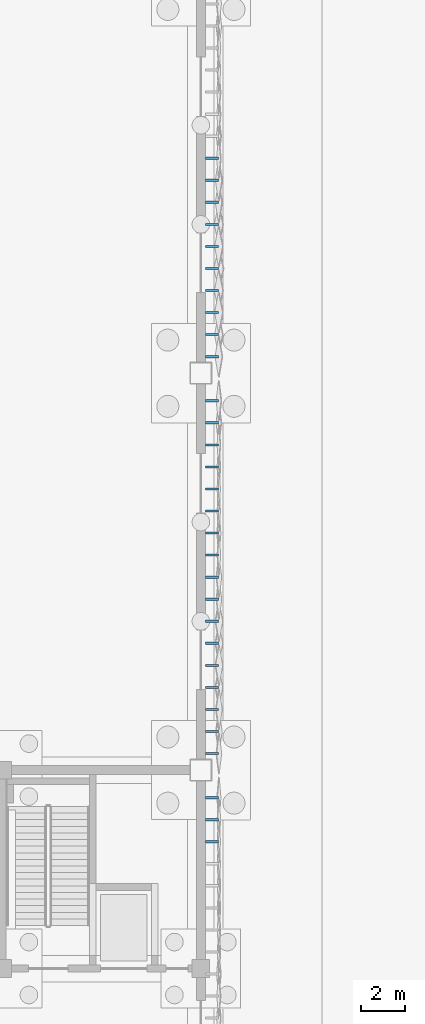
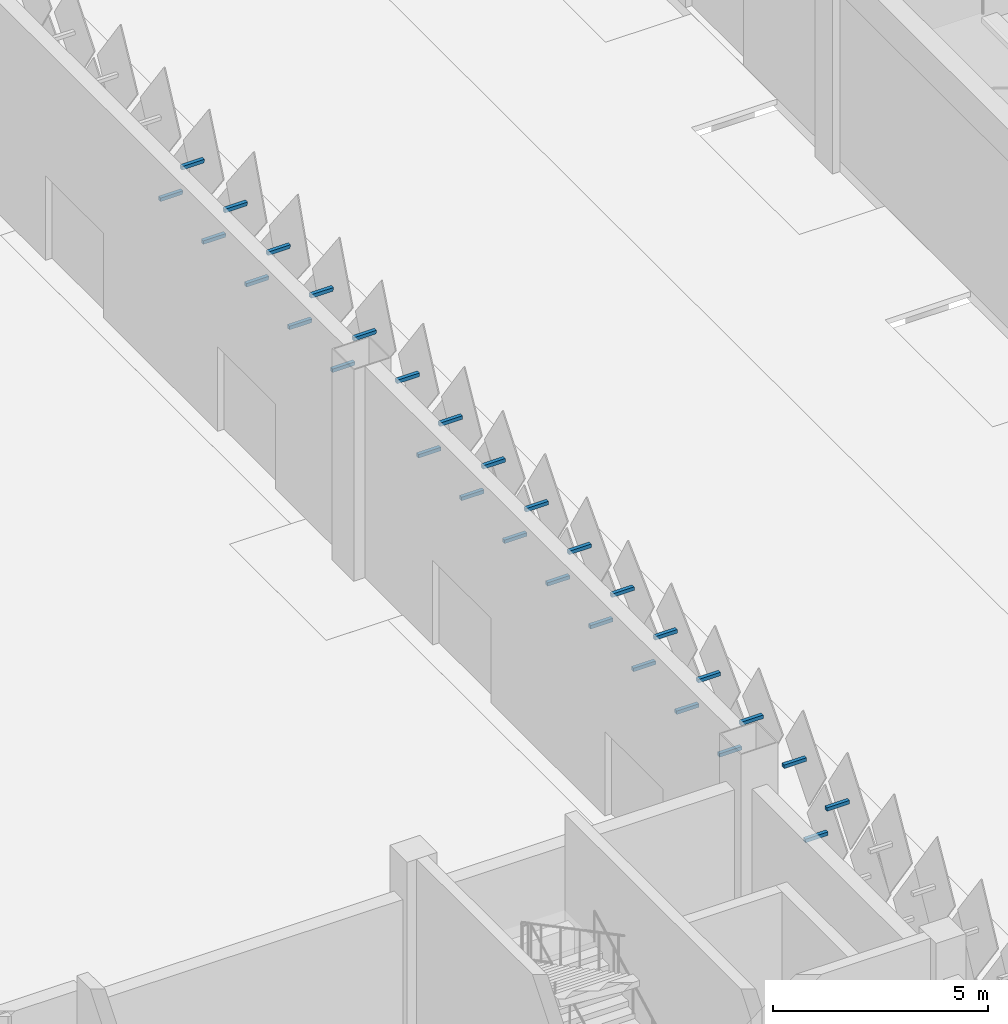
# One storey, part 127 of 198: 30 discrete accessories.
"""IFC4 building model written with IfcOpenShell, lengths in metres."""

from ifc_helpers import new_model, si_unit, direction, frame, origin, place, context, subcontext, project, spatial, polyline, outline, extrude, material, type_object, element, save


model = new_model("IFC4")

# Units and contexts
model_context = context("Model", 3, precision=1e-05, world=origin(), true_north=direction((0.0, 1.0)))
body_context = subcontext(model_context, "Body", "Model", "MODEL_VIEW")
ifc_project = project(units=[si_unit("LENGTHUNIT", "METRE"), si_unit("AREAUNIT", "SQUARE_METRE"), si_unit("VOLUMEUNIT", "CUBIC_METRE"), si_unit("PLANEANGLEUNIT", "RADIAN"), si_unit("MASSUNIT", "GRAM", prefix="KILO")], contexts=[model_context])

# Site, building, storey
site_placement = place(None, origin())
site = spatial("IfcSite", under=ifc_project, at=site_placement, CompositionType="ELEMENT")
building_placement = place(site_placement, origin())
building = spatial("IfcBuilding", under=site, at=building_placement, Name="Opaline Strait Convention Centre", CompositionType="ELEMENT")
storey_placement = place(building_placement, origin())
storey = spatial("IfcBuildingStorey", under=building, at=storey_placement, Name="L00", CompositionType="ELEMENT", Elevation=0.0)

# Discrete accessories
ifc_material = material(Name="Steel Q355B", Category="steel")
discrete_accessory_type = type_object("IfcDiscreteAccessoryType", Name="Tile bracket 100x100 steel", PredefinedType="BRACKET", material=ifc_material)
discrete_accessory_1_placement = place(storey_placement, frame((261.199951171875, 69.699951171875, 4.39208984375), z_axis=(0.0, 1.0, 0.0), x_axis=(-1.0, 0.0, 0.0)))
element("IfcDiscreteAccessory", 1, at=discrete_accessory_1_placement, inside=storey, type_object=discrete_accessory_type, Name="Tile bracket XT06 E", PredefinedType="BRACKET", context=body_context, shape_type="SweptSolid", body=[
    extrude(outline(polyline([(0.0, -0.050048828125), (0.0, 0.050048828125), (-0.597412109375, 0.050048828125), (-0.6025390625, -0.050048828125), (0.0, -0.050048828125)])), origin(), (0.0, 0.0, 1.0), 0.10009765625),
])
discrete_accessory_2_placement = place(storey_placement, frame((261.199951171875, 73.699951171875, 4.39208984375), z_axis=(0.0, 1.0, 0.0), x_axis=(-1.0, 0.0, 0.0)))
element("IfcDiscreteAccessory", 2, at=discrete_accessory_2_placement, inside=storey, type_object=discrete_accessory_type, Name="Tile bracket XT12 E", PredefinedType="BRACKET", context=body_context, shape_type="SweptSolid", body=[
    extrude(outline(polyline([(0.0, -0.050048828125), (0.0, 0.050048828125), (-0.5947265625, 0.050048828125), (-0.605224609375, -0.050048828125), (0.0, -0.050048828125)])), origin(), (0.0, 0.0, 1.0), 0.10009765625),
])
for number, where, z_axis, x_axis, name in (
    (3, (261.199951171875, 75.699951171875, 4.39208984375), (0.0, 1.0, 0.0), (-1.0, 0.0, 0.0), "Tile bracket XT13 E"),
    (4, (261.199951171875, 77.699951171875, 4.39208984375), (0.0, 1.0, 0.0), (-1.0, 0.0, 0.0), "Tile bracket XT13 E"),
):
    element("IfcDiscreteAccessory", number, at=place(storey_placement, frame(where, z_axis=z_axis, x_axis=x_axis)), inside=storey, type_object=discrete_accessory_type, Name=name, PredefinedType="BRACKET", context=body_context, shape_type="SweptSolid", body=[
        extrude(outline(polyline([(0.0, -0.050048828125), (0.0, 0.050048828125), (-0.59423828125, 0.050048828125), (-0.605712890625, -0.050048828125), (0.0, -0.050048828125)])), origin(), (0.0, 0.0, 1.0), 0.10009765625),
    ])
discrete_accessory_3_placement = place(storey_placement, frame((261.199951171875, 79.699951171875, 4.39208984375), z_axis=(0.0, 1.0, 0.0), x_axis=(-1.0, 0.0, 0.0)))
element("IfcDiscreteAccessory", 5, at=discrete_accessory_3_placement, inside=storey, type_object=discrete_accessory_type, Name="Tile bracket XT10 E", PredefinedType="BRACKET", context=body_context, shape_type="SweptSolid", body=[
    extrude(outline(polyline([(0.0, -0.050048828125), (0.0, 0.050048828125), (-0.595703125, 0.050048828125), (-0.604248046875, -0.050048828125), (0.0, -0.050048828125)])), origin(), (0.0, 0.0, 1.0), 0.10009765625),
])
discrete_accessory_4_placement = place(storey_placement, frame((261.199951171875, 81.699951171875, 4.39208984375), z_axis=(0.0, 1.0, 0.0), x_axis=(-1.0, 0.0, 0.0)))
element("IfcDiscreteAccessory", 6, at=discrete_accessory_4_placement, inside=storey, type_object=discrete_accessory_type, Name="Tile bracket XT06 E", PredefinedType="BRACKET", context=body_context, shape_type="SweptSolid", body=[
    extrude(outline(polyline([(0.0, -0.050048828125), (0.0, 0.050048828125), (-0.597412109375, 0.050048828125), (-0.6025390625, -0.050048828125), (0.0, -0.050048828125)])), origin(), (0.0, 0.0, 1.0), 0.10009765625),
])
discrete_accessory_5_placement = place(storey_placement, frame((261.199951171875, 83.699951171875, 4.39208984375), z_axis=(0.0, 1.0, 0.0), x_axis=(-1.0, 0.0, 0.0)))
element("IfcDiscreteAccessory", 7, at=discrete_accessory_5_placement, inside=storey, type_object=discrete_accessory_type, Name="Tile bracket XT05 E", PredefinedType="BRACKET", context=body_context, shape_type="SweptSolid", body=[
    extrude(outline(polyline([(0.0, -0.050048828125), (0.0, 0.050048828125), (-0.597900390625, 0.050048828125), (-0.602294921875, -0.050048828125), (0.0, -0.050048828125)])), origin(), (0.0, 0.0, 1.0), 0.10009765625),
])
discrete_accessory_6_placement = place(storey_placement, frame((261.199951171875, 85.699951171875, 4.39208984375), z_axis=(0.0, 1.0, 0.0), x_axis=(-1.0, 0.0, 0.0)))
element("IfcDiscreteAccessory", 8, at=discrete_accessory_6_placement, inside=storey, type_object=discrete_accessory_type, Name="Tile bracket XT05 E", PredefinedType="BRACKET", context=body_context, shape_type="SweptSolid", body=[
    extrude(outline(polyline([(0.0, -0.050048828125), (0.0, 0.050048828125), (-0.602294921875, 0.050048828125), (-0.597900390625, -0.050048828125), (0.0, -0.050048828125)])), origin(), (0.0, 0.0, 1.0), 0.10009765625),
])
discrete_accessory_7_placement = place(storey_placement, frame((261.199951171875, 87.699951171875, 4.39208984375), z_axis=(0.0, 1.0, 0.0), x_axis=(-1.0, 0.0, 0.0)))
element("IfcDiscreteAccessory", 9, at=discrete_accessory_7_placement, inside=storey, type_object=discrete_accessory_type, Name="Tile bracket XT09 E", PredefinedType="BRACKET", context=body_context, shape_type="SweptSolid", body=[
    extrude(outline(polyline([(0.0, -0.050048828125), (0.0, 0.050048828125), (-0.60400390625, 0.050048828125), (-0.595947265625, -0.050048828125), (0.0, -0.050048828125)])), origin(), (0.0, 0.0, 1.0), 0.10009765625),
])
discrete_accessory_8_placement = place(storey_placement, frame((261.199951171875, 91.699951171875, 4.39208984375), z_axis=(0.0, 1.0, 0.0), x_axis=(-1.0, 0.0, 0.0)))
element("IfcDiscreteAccessory", 10, at=discrete_accessory_8_placement, inside=storey, type_object=discrete_accessory_type, Name="Tile bracket XT15 E", PredefinedType="BRACKET", context=body_context, shape_type="SweptSolid", body=[
    extrude(outline(polyline([(0.0, -0.050048828125), (0.0, 0.050048828125), (-0.606689453125, 0.050048828125), (-0.593505859375, -0.050048828125), (0.0, -0.050048828125)])), origin(), (0.0, 0.0, 1.0), 0.10009765625),
])
discrete_accessory_9_placement = place(storey_placement, frame((261.199951171875, 93.699951171875, 4.39208984375), z_axis=(0.0, 1.0, 0.0), x_axis=(-1.0, 0.0, 0.0)))
element("IfcDiscreteAccessory", 11, at=discrete_accessory_9_placement, inside=storey, type_object=discrete_accessory_type, Name="Tile bracket XT16 E", PredefinedType="BRACKET", context=body_context, shape_type="SweptSolid", body=[
    extrude(outline(polyline([(0.0, -0.050048828125), (0.0, 0.050048828125), (-0.60693359375, 0.050048828125), (-0.593017578125, -0.050048828125), (0.0, -0.050048828125)])), origin(), (0.0, 0.0, 1.0), 0.10009765625),
])
discrete_accessory_10_placement = place(storey_placement, frame((261.199951171875, 95.699951171875, 4.39208984375), z_axis=(0.0, 1.0, 0.0), x_axis=(-1.0, 0.0, 0.0)))
element("IfcDiscreteAccessory", 12, at=discrete_accessory_10_placement, inside=storey, type_object=discrete_accessory_type, Name="Tile bracket XT15 E", PredefinedType="BRACKET", context=body_context, shape_type="SweptSolid", body=[
    extrude(outline(polyline([(0.0, -0.050048828125), (0.0, 0.050048828125), (-0.606689453125, 0.050048828125), (-0.593505859375, -0.050048828125), (0.0, -0.050048828125)])), origin(), (0.0, 0.0, 1.0), 0.10009765625),
])
discrete_accessory_11_placement = place(storey_placement, frame((261.199951171875, 97.699951171875, 4.39208984375), z_axis=(0.0, 1.0, 0.0), x_axis=(-1.0, 0.0, 0.0)))
element("IfcDiscreteAccessory", 13, at=discrete_accessory_11_placement, inside=storey, type_object=discrete_accessory_type, Name="Tile bracket XT12 E", PredefinedType="BRACKET", context=body_context, shape_type="SweptSolid", body=[
    extrude(outline(polyline([(0.0, -0.050048828125), (0.0, 0.050048828125), (-0.605224609375, 0.050048828125), (-0.5947265625, -0.050048828125), (0.0, -0.050048828125)])), origin(), (0.0, 0.0, 1.0), 0.10009765625),
])
discrete_accessory_12_placement = place(storey_placement, frame((261.199951171875, 99.699951171875, 4.39208984375), z_axis=(0.0, 1.0, 0.0), x_axis=(-1.0, 0.0, 0.0)))
element("IfcDiscreteAccessory", 14, at=discrete_accessory_12_placement, inside=storey, type_object=discrete_accessory_type, Name="Tile bracket XT07 E", PredefinedType="BRACKET", context=body_context, shape_type="SweptSolid", body=[
    extrude(outline(polyline([(0.0, -0.050048828125), (0.0, 0.050048828125), (-0.60302734375, 0.050048828125), (-0.596923828125, -0.050048828125), (0.0, -0.050048828125)])), origin(), (0.0, 0.0, 1.0), 0.10009765625),
])
discrete_accessory_13_placement = place(storey_placement, frame((261.199951171875, 68.699951171875, 5.89208984375), z_axis=(0.0, 1.0, 0.0), x_axis=(-1.0, 0.0, 0.0)))
element("IfcDiscreteAccessory", 15, at=discrete_accessory_13_placement, inside=storey, type_object=discrete_accessory_type, Name="Tile bracket XT04 E", PredefinedType="BRACKET", context=body_context, shape_type="SweptSolid", body=[
    extrude(outline(polyline([(0.0, -0.050048828125), (0.0, 0.050048828125), (-0.59814453125, 0.050048828125), (-0.601806640625, -0.050048828125), (0.0, -0.050048828125)])), origin(), (0.0, 0.0, 1.0), 0.10009765625),
])
discrete_accessory_14_placement = place(storey_placement, frame((261.199951171875, 70.699951171875, 5.89208984375), z_axis=(0.0, 1.0, 0.0), x_axis=(-1.0, 0.0, 0.0)))
element("IfcDiscreteAccessory", 16, at=discrete_accessory_14_placement, inside=storey, type_object=discrete_accessory_type, Name="Tile bracket XT07 E", PredefinedType="BRACKET", context=body_context, shape_type="SweptSolid", body=[
    extrude(outline(polyline([(0.0, -0.050048828125), (0.0, 0.050048828125), (-0.596923828125, 0.050048828125), (-0.60302734375, -0.050048828125), (0.0, -0.050048828125)])), origin(), (0.0, 0.0, 1.0), 0.10009765625),
])
discrete_accessory_15_placement = place(storey_placement, frame((261.199951171875, 72.699951171875, 5.89208984375), z_axis=(0.0, 1.0, 0.0), x_axis=(-1.0, 0.0, 0.0)))
element("IfcDiscreteAccessory", 17, at=discrete_accessory_15_placement, inside=storey, type_object=discrete_accessory_type, Name="Tile bracket XT10 E", PredefinedType="BRACKET", context=body_context, shape_type="SweptSolid", body=[
    extrude(outline(polyline([(0.0, -0.050048828125), (0.0, 0.050048828125), (-0.595703125, 0.050048828125), (-0.604248046875, -0.050048828125), (0.0, -0.050048828125)])), origin(), (0.0, 0.0, 1.0), 0.10009765625),
])
discrete_accessory_16_placement = place(storey_placement, frame((261.199951171875, 74.699951171875, 5.89208984375), z_axis=(0.0, 1.0, 0.0), x_axis=(-1.0, 0.0, 0.0)))
element("IfcDiscreteAccessory", 18, at=discrete_accessory_16_placement, inside=storey, type_object=discrete_accessory_type, Name="Tile bracket XT12 E", PredefinedType="BRACKET", context=body_context, shape_type="SweptSolid", body=[
    extrude(outline(polyline([(0.0, -0.050048828125), (0.0, 0.050048828125), (-0.5947265625, 0.050048828125), (-0.605224609375, -0.050048828125), (0.0, -0.050048828125)])), origin(), (0.0, 0.0, 1.0), 0.10009765625),
])
for number, where, z_axis, x_axis, name in (
    (19, (261.199951171875, 76.699951171875, 5.89208984375), (0.0, 1.0, 0.0), (-1.0, 0.0, 0.0), "Tile bracket XT13 E"),
    (20, (261.199951171875, 78.699951171875, 5.89208984375), (0.0, 1.0, 0.0), (-1.0, 0.0, 0.0), "Tile bracket XT13 E"),
):
    element("IfcDiscreteAccessory", number, at=place(storey_placement, frame(where, z_axis=z_axis, x_axis=x_axis)), inside=storey, type_object=discrete_accessory_type, Name=name, PredefinedType="BRACKET", context=body_context, shape_type="SweptSolid", body=[
        extrude(outline(polyline([(0.0, -0.050048828125), (0.0, 0.050048828125), (-0.59423828125, 0.050048828125), (-0.605712890625, -0.050048828125), (0.0, -0.050048828125)])), origin(), (0.0, 0.0, 1.0), 0.10009765625),
    ])
discrete_accessory_17_placement = place(storey_placement, frame((261.199951171875, 80.699951171875, 5.89208984375), z_axis=(0.0, 1.0, 0.0), x_axis=(-1.0, 0.0, 0.0)))
element("IfcDiscreteAccessory", 21, at=discrete_accessory_17_placement, inside=storey, type_object=discrete_accessory_type, Name="Tile bracket XT10 E", PredefinedType="BRACKET", context=body_context, shape_type="SweptSolid", body=[
    extrude(outline(polyline([(0.0, -0.050048828125), (0.0, 0.050048828125), (-0.595703125, 0.050048828125), (-0.604248046875, -0.050048828125), (0.0, -0.050048828125)])), origin(), (0.0, 0.0, 1.0), 0.10009765625),
])
discrete_accessory_18_placement = place(storey_placement, frame((261.199951171875, 82.699951171875, 5.89208984375), z_axis=(0.0, 1.0, 0.0), x_axis=(-1.0, 0.0, 0.0)))
element("IfcDiscreteAccessory", 22, at=discrete_accessory_18_placement, inside=storey, type_object=discrete_accessory_type, Name="Tile bracket XT07 E", PredefinedType="BRACKET", context=body_context, shape_type="SweptSolid", body=[
    extrude(outline(polyline([(0.0, -0.050048828125), (0.0, 0.050048828125), (-0.596923828125, 0.050048828125), (-0.60302734375, -0.050048828125), (0.0, -0.050048828125)])), origin(), (0.0, 0.0, 1.0), 0.10009765625),
])
discrete_accessory_19_placement = place(storey_placement, frame((261.199951171875, 84.699951171875, 5.89208984375), z_axis=(0.0, 1.0, 0.0), x_axis=(-1.0, 0.0, 0.0)))
element("IfcDiscreteAccessory", 23, at=discrete_accessory_19_placement, inside=storey, type_object=discrete_accessory_type, Name="Tile bracket XT05 E", PredefinedType="BRACKET", context=body_context, shape_type="SweptSolid", body=[
    extrude(outline(polyline([(0.0, -0.050048828125), (0.0, 0.050048828125), (-0.597900390625, 0.050048828125), (-0.602294921875, -0.050048828125), (0.0, -0.050048828125)])), origin(), (0.0, 0.0, 1.0), 0.10009765625),
])
discrete_accessory_20_placement = place(storey_placement, frame((261.199951171875, 86.699951171875, 5.89208984375), z_axis=(0.0, 1.0, 0.0), x_axis=(-1.0, 0.0, 0.0)))
element("IfcDiscreteAccessory", 24, at=discrete_accessory_20_placement, inside=storey, type_object=discrete_accessory_type, Name="Tile bracket XT05 E", PredefinedType="BRACKET", context=body_context, shape_type="SweptSolid", body=[
    extrude(outline(polyline([(0.0, -0.050048828125), (0.0, 0.050048828125), (-0.602294921875, 0.050048828125), (-0.597900390625, -0.050048828125), (0.0, -0.050048828125)])), origin(), (0.0, 0.0, 1.0), 0.10009765625),
])
discrete_accessory_21_placement = place(storey_placement, frame((261.199951171875, 88.699951171875, 5.89208984375), z_axis=(0.0, 1.0, 0.0), x_axis=(-1.0, 0.0, 0.0)))
element("IfcDiscreteAccessory", 25, at=discrete_accessory_21_placement, inside=storey, type_object=discrete_accessory_type, Name="Tile bracket XT09 E", PredefinedType="BRACKET", context=body_context, shape_type="SweptSolid", body=[
    extrude(outline(polyline([(0.0, -0.050048828125), (0.0, 0.050048828125), (-0.60400390625, 0.050048828125), (-0.595947265625, -0.050048828125), (0.0, -0.050048828125)])), origin(), (0.0, 0.0, 1.0), 0.10009765625),
])
discrete_accessory_22_placement = place(storey_placement, frame((261.199951171875, 90.699951171875, 5.89208984375), z_axis=(0.0, 1.0, 0.0), x_axis=(-1.0, 0.0, 0.0)))
element("IfcDiscreteAccessory", 26, at=discrete_accessory_22_placement, inside=storey, type_object=discrete_accessory_type, Name="Tile bracket XT13 E", PredefinedType="BRACKET", context=body_context, shape_type="SweptSolid", body=[
    extrude(outline(polyline([(0.0, -0.050048828125), (0.0, 0.050048828125), (-0.605712890625, 0.050048828125), (-0.59423828125, -0.050048828125), (0.0, -0.050048828125)])), origin(), (0.0, 0.0, 1.0), 0.10009765625),
])
discrete_accessory_23_placement = place(storey_placement, frame((261.199951171875, 92.699951171875, 5.89208984375), z_axis=(0.0, 1.0, 0.0), x_axis=(-1.0, 0.0, 0.0)))
element("IfcDiscreteAccessory", 27, at=discrete_accessory_23_placement, inside=storey, type_object=discrete_accessory_type, Name="Tile bracket XT15 E", PredefinedType="BRACKET", context=body_context, shape_type="SweptSolid", body=[
    extrude(outline(polyline([(0.0, -0.050048828125), (0.0, 0.050048828125), (-0.606689453125, 0.050048828125), (-0.593505859375, -0.050048828125), (0.0, -0.050048828125)])), origin(), (0.0, 0.0, 1.0), 0.10009765625),
])
discrete_accessory_24_placement = place(storey_placement, frame((261.199951171875, 94.699951171875, 5.89208984375), z_axis=(0.0, 1.0, 0.0), x_axis=(-1.0, 0.0, 0.0)))
element("IfcDiscreteAccessory", 28, at=discrete_accessory_24_placement, inside=storey, type_object=discrete_accessory_type, Name="Tile bracket XT17 E", PredefinedType="BRACKET", context=body_context, shape_type="SweptSolid", body=[
    extrude(outline(polyline([(0.0, -0.050048828125), (0.0, 0.050048828125), (-0.607421875, 0.050048828125), (-0.592529296875, -0.050048828125), (0.0, -0.050048828125)])), origin(), (0.0, 0.0, 1.0), 0.10009765625),
])
discrete_accessory_25_placement = place(storey_placement, frame((261.199951171875, 96.699951171875, 5.89208984375), z_axis=(0.0, 1.0, 0.0), x_axis=(-1.0, 0.0, 0.0)))
element("IfcDiscreteAccessory", 29, at=discrete_accessory_25_placement, inside=storey, type_object=discrete_accessory_type, Name="Tile bracket XT16 E", PredefinedType="BRACKET", context=body_context, shape_type="SweptSolid", body=[
    extrude(outline(polyline([(0.0, -0.050048828125), (0.0, 0.050048828125), (-0.60693359375, 0.050048828125), (-0.593017578125, -0.050048828125), (0.0, -0.050048828125)])), origin(), (0.0, 0.0, 1.0), 0.10009765625),
])
discrete_accessory_26_placement = place(storey_placement, frame((261.199951171875, 98.699951171875, 5.89208984375), z_axis=(0.0, 1.0, 0.0), x_axis=(-1.0, 0.0, 0.0)))
element("IfcDiscreteAccessory", 30, at=discrete_accessory_26_placement, inside=storey, type_object=discrete_accessory_type, Name="Tile bracket XT12 E", PredefinedType="BRACKET", context=body_context, shape_type="SweptSolid", body=[
    extrude(outline(polyline([(0.0, -0.050048828125), (0.0, 0.050048828125), (-0.605224609375, 0.050048828125), (-0.5947265625, -0.050048828125), (0.0, -0.050048828125)])), origin(), (0.0, 0.0, 1.0), 0.10009765625),
])

save(model, "model.ifc")
